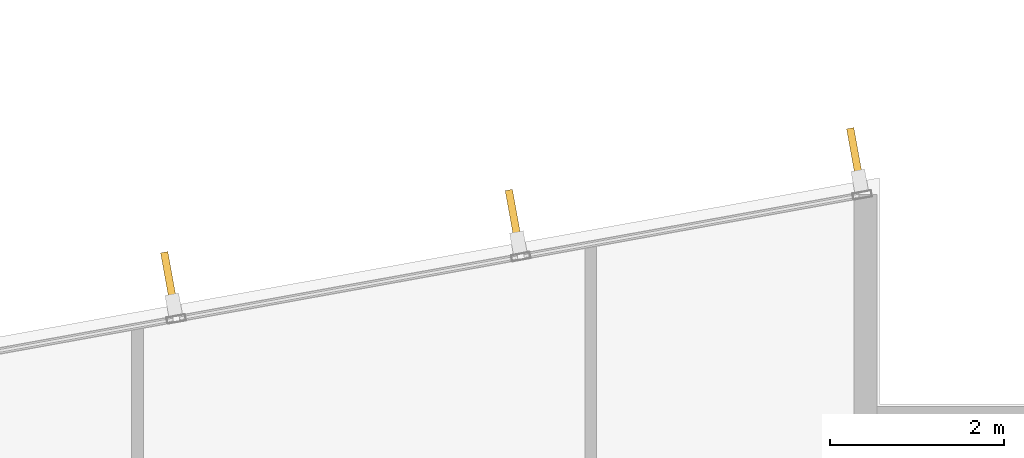
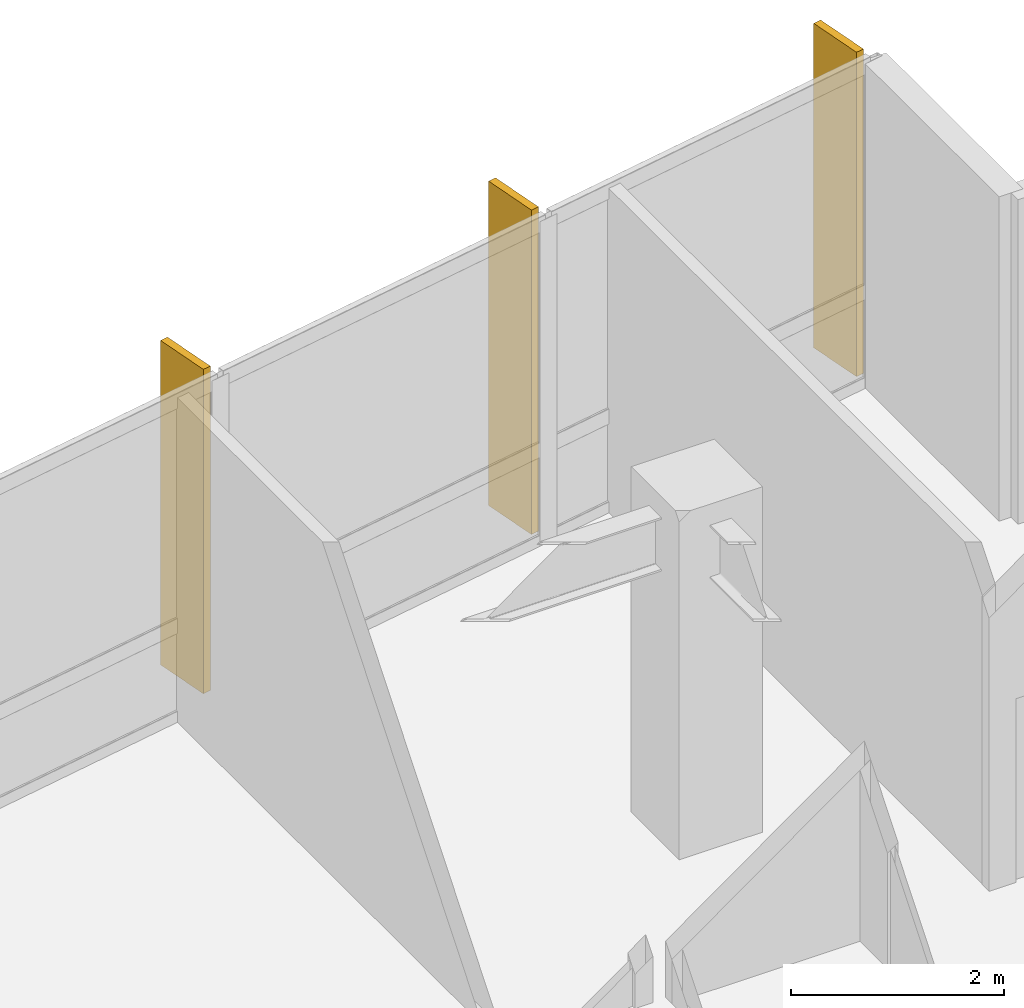
# One storey, part 22 of 22: 3 shading devices.
"""IFC4 building model written with IfcOpenShell, lengths in metres."""

import ifcopenshell
import ifcopenshell.guid

model = None  # the IFC model being written
_history = None  # IfcOwnerHistory: only IFC2X3 demands one
_inside = {}  # id of a spatial element -> (the spatial element, [elements in it])
_under = {}  # id of a project, library or spatial element -> (it, [spatial elements below it])
_declared = {}  # id of a project -> (the project, [libraries it declares])
_typed = {}  # id of a type object -> (the type object, [elements of that type])
_made_of = {}  # id of a material, layer set ... -> (it, [elements and type objects made of it])


def new_model(schema):
    """Start an empty IFC model of exactly this schema.

    Asked for "IFC4X3", IfcOpenShell would pick the latest addendum, in which some entities
    have other attributes; the version numbers below select the first issue.
    IFC2X3 requires an IfcOwnerHistory on every rooted entity: one is made here for all.
    """
    global model, _history
    if schema == "IFC4X3":
        model = ifcopenshell.file(schema_version=(4, 3, 0, 0))
    else:
        model = ifcopenshell.file(schema=schema)
    _inside.clear()
    _under.clear()
    _declared.clear()
    _typed.clear()
    _made_of.clear()
    _history = None
    if model.schema == "IFC2X3":
        org = make("IfcOrganization", Name="unknown")
        user = make(
            "IfcPersonAndOrganization",
            ThePerson=make("IfcPerson", FamilyName="unknown"),
            TheOrganization=org,
        )
        app = make(
            "IfcApplication",
            ApplicationDeveloper=org,
            Version="unknown",
            ApplicationFullName="unknown",
            ApplicationIdentifier="unknown",
        )
        _history = make(
            "IfcOwnerHistory",
            OwningUser=user,
            OwningApplication=app,
            ChangeAction="ADDED",
            CreationDate=0,
        )
    return model


def make(cls, **values):
    """One entity of the class cls with the attributes given. An attribute that is None is left unset."""
    return model.create_entity(
        cls, **{name: value for name, value in values.items() if value is not None}
    )


def rooted(cls, **values):
    """An entity with a GlobalId (a new one), such as an element, a storey or a relation."""
    return make(cls, GlobalId=ifcopenshell.guid.new(), OwnerHistory=_history, **values)


def si_unit(unit_type, name, prefix=None):
    """IfcSIUnit, for example si_unit("LENGTHUNIT", "METRE", prefix="MILLI")."""
    return make("IfcSIUnit", UnitType=unit_type, Prefix=prefix, Name=name)


def assignment(units):
    """IfcUnitAssignment: the units of a project."""
    return None if units is None else make("IfcUnitAssignment", Units=units)


def point(xyz):
    """IfcCartesianPoint."""
    return None if xyz is None else make("IfcCartesianPoint", Coordinates=xyz)


def direction(xyz):
    """IfcDirection."""
    return None if xyz is None else make("IfcDirection", DirectionRatios=xyz)


def frame(location, z_axis=None, x_axis=None):
    """IfcAxis2Placement3D, a coordinate frame: its origin and axes. An axis left out is left unset."""
    return make(
        "IfcAxis2Placement3D",
        Location=point(location),
        Axis=direction(z_axis),
        RefDirection=direction(x_axis),
    )


def frame_2d(location, x_axis=None):
    """IfcAxis2Placement2D, a coordinate frame in the plane: its origin and x axis."""
    return make(
        "IfcAxis2Placement2D", Location=point(location), RefDirection=direction(x_axis)
    )


def origin():
    """The frame at (0, 0, 0) with its axes left unset."""
    return frame((0.0, 0.0, 0.0))


def origin_2d():
    """The frame at (0, 0) in the plane with its x axis left unset."""
    return frame_2d((0.0, 0.0))


def place(relative_to, where):
    """IfcLocalPlacement: puts the frame where relative to a parent placement (None: the world)."""
    return make(
        "IfcLocalPlacement", PlacementRelTo=relative_to, RelativePlacement=where
    )


def context(
    kind, dimensions, precision=None, world=None, true_north=None, identifier=None
):
    """IfcGeometricRepresentationContext, for example the 3D "Model" context."""
    return make(
        "IfcGeometricRepresentationContext",
        ContextIdentifier=identifier,
        ContextType=kind,
        CoordinateSpaceDimension=dimensions,
        Precision=precision,
        WorldCoordinateSystem=world,
        TrueNorth=true_north,
    )


def subcontext(parent, identifier, kind, view, scale=None):
    """IfcGeometricRepresentationSubContext, for example "Body" below "Model"."""
    return make(
        "IfcGeometricRepresentationSubContext",
        ContextIdentifier=identifier,
        ContextType=kind,
        ParentContext=parent,
        TargetScale=scale,
        TargetView=view,
    )


def project(units=None, contexts=None):
    """IfcProject with its units and contexts."""
    return rooted(
        "IfcProject",
        Name="project",
        RepresentationContexts=contexts,
        UnitsInContext=assignment(units),
    )


def spatial(cls, under=None, at=None, **own):
    """A site, building, storey or space (cls), placed at a placement, below another one or the project."""
    s = rooted(cls, ObjectPlacement=at, **own)
    if under is not None:
        _under.setdefault(under.id(), (under, []))[1].append(s)
    return s


def profile(cls, at=None, kind="AREA", **sizes):
    """A parametric profile (cls). Its sizes go by their IFC names, for example OverallWidth=200.0."""
    return make(cls, ProfileType=kind, Position=at, **sizes)


def rectangle(**sizes):
    """IfcRectangleProfileDef."""
    return profile("IfcRectangleProfileDef", **sizes)


def extrude(swept, where, along, depth):
    """IfcExtrudedAreaSolid: the profile swept, set in the frame where, extruded along a direction by depth."""
    return make(
        "IfcExtrudedAreaSolid",
        SweptArea=swept,
        Position=where,
        ExtrudedDirection=direction(along),
        Depth=depth,
    )


def shape(context_of_items, identifier, shape_type, items):
    """IfcShapeRepresentation: the items that make up one representation, for example the "Body"."""
    return make(
        "IfcShapeRepresentation",
        ContextOfItems=context_of_items,
        RepresentationIdentifier=identifier,
        RepresentationType=shape_type,
        Items=items,
    )


def material(Name=None, Category=None):
    """IfcMaterial."""
    return make("IfcMaterial", Name=Name, Category=Category)


def layer(
    of_material, thickness, ventilated=None, Name=None, Category=None, Priority=None
):
    """IfcMaterialLayer: one layer of a wall or slab, of a material (None: an air gap)."""
    return make(
        "IfcMaterialLayer",
        Material=of_material,
        LayerThickness=thickness,
        IsVentilated=ventilated,
        Name=Name,
        Category=Category,
        Priority=Priority,
    )


def layer_set(layers, Name=None):
    """IfcMaterialLayerSet."""
    return make("IfcMaterialLayerSet", MaterialLayers=layers, LayerSetName=Name)


def made_of(thing, what):
    """Note that an element or type object is made of a material, layer set ...; save() writes the relation."""
    if what is not None:
        _made_of.setdefault(what.id(), (what, []))[1].append(thing)
    return thing


def type_object(cls, material=None, **own):
    """A type object (cls), such as IfcWallType, which elements share."""
    return made_of(rooted(cls, **own), material)


def element(
    cls,
    number,
    at=None,
    inside=None,
    cuts=None,
    type_object=None,
    material=None,
    context=None,
    identifier="Body",
    shape_type=None,
    held_by="IfcProductDefinitionShape",
    body=None,
    shapes=None,
    **own,
):
    """One element of the class cls, such as IfcWall. Its Tag is "e" and its number.

    at: its placement. inside: the storey or other place that contains it. cuts: it is an
    opening in that element (IfcRelVoidsElement). A single representation is given by context,
    identifier, shape_type and body (its items); several are given by shapes. held_by: the class
    of the entity that holds the representations. save() writes the other relations.
    """
    e = rooted(cls, Tag="e%d" % number, ObjectPlacement=at, **own)
    if body is not None:
        shapes = [shape(context, identifier, shape_type, body)]
    if shapes is not None:
        e.Representation = make(held_by, Representations=shapes)
    if inside is not None:
        _inside.setdefault(inside.id(), (inside, []))[1].append(e)
    if cuts is not None:
        rooted(
            "IfcRelVoidsElement", RelatingBuildingElement=cuts, RelatedOpeningElement=e
        )
    if type_object is not None:
        _typed.setdefault(type_object.id(), (type_object, []))[1].append(e)
    return made_of(e, material)


def aggregate(whole, parts):
    """IfcRelAggregates: a whole, such as a stair, and the parts it consists of."""
    return rooted("IfcRelAggregates", RelatingObject=whole, RelatedObjects=parts)


def save(model, path):
    """Write the relations noted so far, then the file.

    IfcRelAggregates (storeys below a building ...), IfcRelContainedInSpatialStructure (elements
    in a storey), IfcRelDefinesByType, IfcRelAssociatesMaterial and IfcRelDeclares: one each for
    every whole, place, type object, material and project.
    """
    for whole, parts in _under.values():
        aggregate(whole, parts)
    for where, things in _inside.values():
        rooted(
            "IfcRelContainedInSpatialStructure",
            RelatedElements=things,
            RelatingStructure=where,
        )
    for kind, things in _typed.values():
        rooted("IfcRelDefinesByType", RelatedObjects=things, RelatingType=kind)
    for what, things in _made_of.values():
        rooted("IfcRelAssociatesMaterial", RelatedObjects=things, RelatingMaterial=what)
    for by, libraries in _declared.values():
        rooted("IfcRelDeclares", RelatingContext=by, RelatedDefinitions=libraries)
    model.write(path)


model = new_model("IFC4")

# Units and contexts
model_context = context("Model", 3, precision=1e-05, world=origin(), true_north=direction((0.0, 1.0)))
body_context = subcontext(model_context, "Body", "Model", "MODEL_VIEW")
ifc_project = project(units=[si_unit("LENGTHUNIT", "METRE"), si_unit("AREAUNIT", "SQUARE_METRE"), si_unit("VOLUMEUNIT", "CUBIC_METRE"), si_unit("PLANEANGLEUNIT", "RADIAN"), si_unit("MASSUNIT", "GRAM", prefix="KILO")], contexts=[model_context])

# Site, building, storey
site_placement = place(None, origin())
site = spatial("IfcSite", under=ifc_project, at=site_placement, CompositionType="ELEMENT")
building_placement = place(site_placement, origin())
building = spatial("IfcBuilding", under=site, at=building_placement, Name="Varnakote Quay Hospital", CompositionType="ELEMENT")
storey_placement = place(building_placement, frame((0.0, 0.0, 62.0)))
storey = spatial("IfcBuildingStorey", under=building, at=storey_placement, Name="L15", CompositionType="ELEMENT", Elevation=62.0)

# Shading devices
ifc_material = material(Name="Anodised aluminium 6063-T6 Bronze", Category="aluminium")
ifc_layer = layer(ifc_material, 0.0849609375)
ifc_layer_set = layer_set([ifc_layer], Name="Anodised aluminium 6063-T6 Bronze")
shading_device_type = type_object("IfcShadingDeviceType", Name="SHD-BRONZE-FIN-620", PredefinedType="USERDEFINED", material=ifc_layer_set)
for number, where, z_axis, x_axis, name in (
    (1, (55.319580078125, 34.664306640625, 0.0), (0.0, 0.0, 1.0), (0.177771795263, -0.984071739666, 0.0), "L15 Anodised Bronze Vertical Shading FIN"),
    (2, (51.393798828125, 33.954833984375, 0.0), (0.0, 0.0, 1.0), (0.177771795263, -0.984071739666, 0.0), "L15 Anodised Bronze Vertical Shading FIN"),
    (3, (47.43115234375, 33.23876953125, 0.0), (0.0, 0.0, 1.0), (0.177771795263, -0.984071739666, 0.0), "L15 Anodised Bronze Vertical Shading FIN"),
):
    element("IfcShadingDevice", number, at=place(storey_placement, frame(where, z_axis=z_axis, x_axis=x_axis)), inside=storey, type_object=shading_device_type, Name=name, ObjectType="FIN", PredefinedType="USERDEFINED", context=body_context, shape_type="SweptSolid", body=[
        extrude(rectangle(XDim=0.6201171875, YDim=0.0849609375, at=origin_2d()), origin(), (0.0, 0.0, 1.0), 3.7099609375),
    ])

save(model, "model.ifc")
